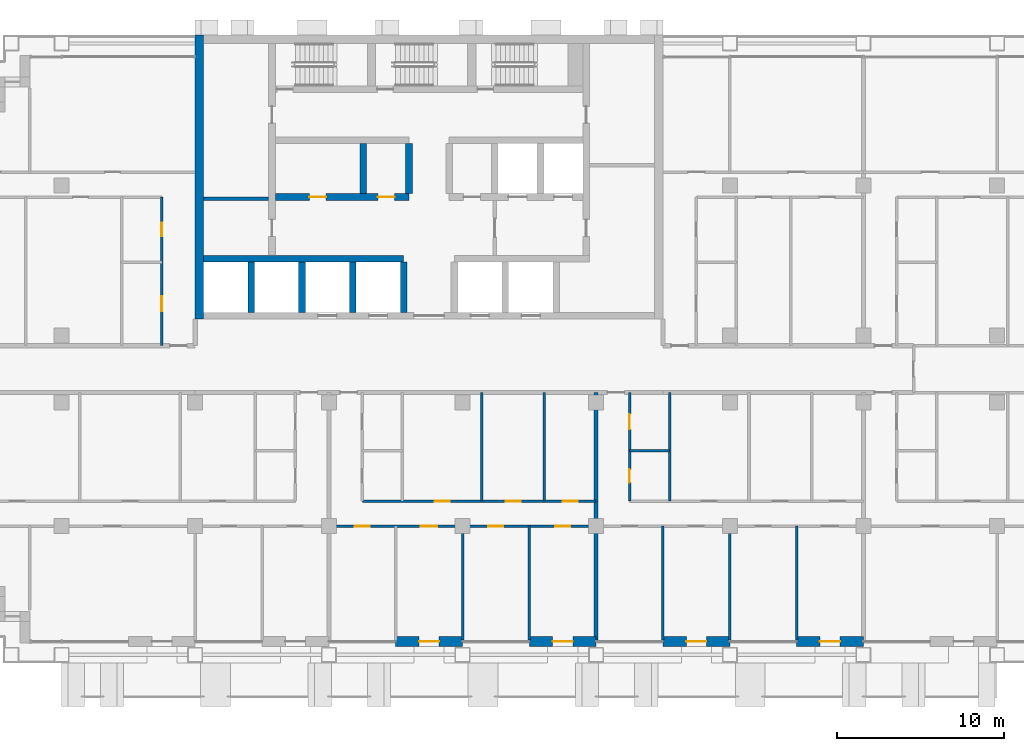
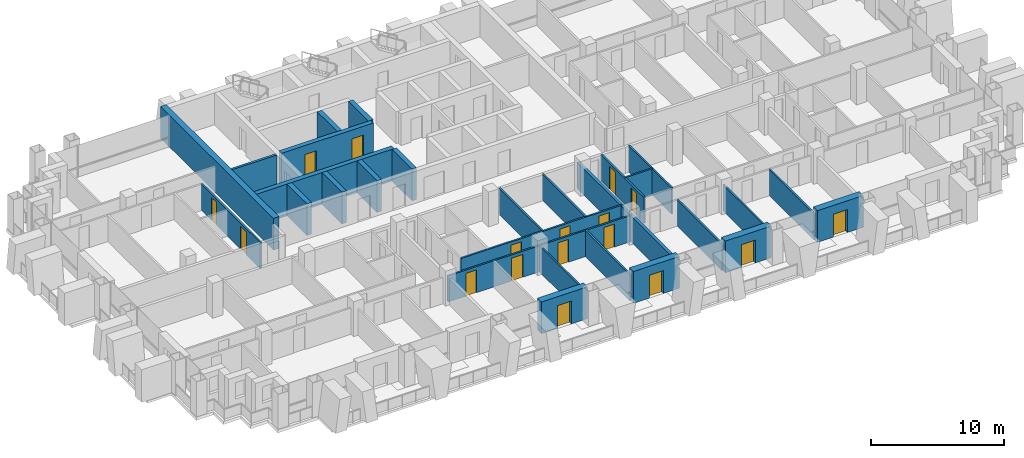
# One storey, part 9 of 17: 28 walls, 17 doors, 17 openings.
"""IFC4 building model written with IfcOpenShell, lengths in metres."""

from ifc_helpers import new_model, si_unit, direction, frame, frame_2d, origin, place, context, subcontext, project, spatial, rectangle, extrude, material, layer, layer_set, type_object, element, fill, save


model = new_model("IFC4")

# Units and contexts
model_context = context("Model", 3, precision=1e-05, world=origin(), true_north=direction((0.0, 1.0)))
body_context = subcontext(model_context, "Body", "Model", "MODEL_VIEW")
ifc_project = project(units=[si_unit("LENGTHUNIT", "METRE"), si_unit("AREAUNIT", "SQUARE_METRE"), si_unit("VOLUMEUNIT", "CUBIC_METRE"), si_unit("PLANEANGLEUNIT", "RADIAN"), si_unit("MASSUNIT", "GRAM", prefix="KILO")], contexts=[model_context])

# Site, building, storey
site_placement = place(None, origin())
site = spatial("IfcSite", under=ifc_project, at=site_placement, CompositionType="ELEMENT")
building_placement = place(site_placement, origin())
building = spatial("IfcBuilding", under=site, at=building_placement, Name="Vidyagriha Tower", CompositionType="ELEMENT")
storey_placement = place(building_placement, frame((0.0, 0.0, 77.5)))
storey = spatial("IfcBuildingStorey", under=building, at=storey_placement, Name="L19", CompositionType="ELEMENT", Elevation=77.5)

# Wall, opening, door
ifc_material_1 = material(Name="Precast concrete C40/50 with brick facing", Category="concrete")
ifc_layer_1 = layer(ifc_material_1, 0.60009765625)
ifc_layer_set_1 = layer_set([ifc_layer_1], Name="Precast concrete C40/50 with brick facing")
wall_type_1 = type_object("IfcWallType", Name="Brick-faced precast wall 600", PredefinedType="STANDARD", material=ifc_layer_set_1)
wall_1_placement = place(storey_placement, frame((-2.0, -16.300048828125, 0.0)))
wall_1 = element("IfcWall", 1, at=wall_1_placement, inside=storey, type_object=wall_type_1, Name="Brick door bay wall L19 R23.7", PredefinedType="STANDARD", context=body_context, shape_type="SweptSolid", body=[
    extrude(rectangle(XDim=4.0, YDim=0.60009765625, at=frame_2d((2.0, 0.0))), origin(), (0.0, 0.0, 1.0), 2.919921875),
])
opening_1_placement = place(wall_1_placement, frame((1.39990234375, 0.0, 0.0)))
opening_1 = element("IfcOpeningElement", 2, at=opening_1_placement, cuts=wall_1, Name="Opening D19-76", PredefinedType="OPENING", context=body_context, shape_type="SweptSolid", body=[
    extrude(rectangle(XDim=1.199951171875, YDim=2.10009765625, at=frame_2d((0.60009765625, 1.050048828125))), frame((0.0, 0.31005859375, 0.0), z_axis=(0.0, -1.0, 0.0), x_axis=(1.0, 0.0, 0.0)), (0.0, 0.0, 1.0), 0.6201171875),
])
ifc_material_2 = material(Name="Aluminium framed glazed sliding door", Category="aluminium")
door_type_1 = type_object("IfcDoorType", Name="Balcony sliding door 1200x2100", OperationType="NOTDEFINED", PredefinedType="DOOR", material=ifc_material_2)
door_1_placement = place(opening_1_placement, origin())
door_1 = element("IfcDoor", 3, at=door_1_placement, inside=storey, type_object=door_type_1, Name="Door D19-76", OperationType="SLIDING_TO_LEFT", OverallHeight=2.10009765625, OverallWidth=1.199951171875, PredefinedType="DOOR", context=body_context, shape_type="SweptSolid", body=[
    extrude(rectangle(XDim=1.199951171875, YDim=2.10009765625, at=frame_2d((0.60009765625, 1.050048828125))), frame((0.0, 0.02490234375, 0.0), z_axis=(0.0, -1.0, 0.0), x_axis=(1.0, 0.0, 0.0)), (0.0, 0.0, 1.0), 0.050048828125),
])
fill(opening_1, door_1)

wall_2_placement = place(storey_placement, frame((6.0, -16.300048828125, 0.0)))
wall_2 = element("IfcWall", 4, at=wall_2_placement, inside=storey, type_object=wall_type_1, Name="Brick door bay wall L19 R23.9", PredefinedType="STANDARD", context=body_context, shape_type="SweptSolid", body=[
    extrude(rectangle(XDim=4.0, YDim=0.60009765625, at=frame_2d((2.0, 0.0))), origin(), (0.0, 0.0, 1.0), 2.919921875),
])
opening_2_placement = place(wall_2_placement, frame((1.39990234375, 0.0, 0.0)))
opening_2 = element("IfcOpeningElement", 5, at=opening_2_placement, cuts=wall_2, Name="Opening D19-77", PredefinedType="OPENING", context=body_context, shape_type="SweptSolid", body=[
    extrude(rectangle(XDim=1.199951171875, YDim=2.10009765625, at=frame_2d((0.60009765625, 1.050048828125))), frame((0.0, 0.31005859375, 0.0), z_axis=(0.0, -1.0, 0.0), x_axis=(1.0, 0.0, 0.0)), (0.0, 0.0, 1.0), 0.6201171875),
])
door_2_placement = place(opening_2_placement, origin())
door_2 = element("IfcDoor", 6, at=door_2_placement, inside=storey, type_object=door_type_1, Name="Door D19-77", OperationType="SLIDING_TO_LEFT", OverallHeight=2.10009765625, OverallWidth=1.199951171875, PredefinedType="DOOR", context=body_context, shape_type="SweptSolid", body=[
    extrude(rectangle(XDim=1.199951171875, YDim=2.10009765625, at=frame_2d((0.60009765625, 1.050048828125))), frame((0.0, 0.02490234375, 0.0), z_axis=(0.0, -1.0, 0.0), x_axis=(1.0, 0.0, 0.0)), (0.0, 0.0, 1.0), 0.050048828125),
])
fill(opening_2, door_2)

wall_3_placement = place(storey_placement, frame((14.0, -16.300048828125, 0.0)))
wall_3 = element("IfcWall", 7, at=wall_3_placement, inside=storey, type_object=wall_type_1, Name="Brick door bay wall L19 R23.11", PredefinedType="STANDARD", context=body_context, shape_type="SweptSolid", body=[
    extrude(rectangle(XDim=4.0, YDim=0.60009765625, at=frame_2d((2.0, 0.0))), origin(), (0.0, 0.0, 1.0), 2.919921875),
])
opening_3_placement = place(wall_3_placement, frame((1.39990234375, 0.0, 0.0)))
opening_3 = element("IfcOpeningElement", 8, at=opening_3_placement, cuts=wall_3, Name="Opening D19-78", PredefinedType="OPENING", context=body_context, shape_type="SweptSolid", body=[
    extrude(rectangle(XDim=1.199951171875, YDim=2.10009765625, at=frame_2d((0.60009765625, 1.050048828125))), frame((0.0, 0.31005859375, 0.0), z_axis=(0.0, -1.0, 0.0), x_axis=(1.0, 0.0, 0.0)), (0.0, 0.0, 1.0), 0.6201171875),
])
door_3_placement = place(opening_3_placement, origin())
door_3 = element("IfcDoor", 9, at=door_3_placement, inside=storey, type_object=door_type_1, Name="Door D19-78", OperationType="SLIDING_TO_LEFT", OverallHeight=2.10009765625, OverallWidth=1.199951171875, PredefinedType="DOOR", context=body_context, shape_type="SweptSolid", body=[
    extrude(rectangle(XDim=1.199951171875, YDim=2.10009765625, at=frame_2d((0.60009765625, 1.050048828125))), frame((0.0, 0.02490234375, 0.0), z_axis=(0.0, -1.0, 0.0), x_axis=(1.0, 0.0, 0.0)), (0.0, 0.0, 1.0), 0.050048828125),
])
fill(opening_3, door_3)

wall_4_placement = place(storey_placement, frame((22.0, -16.300048828125, 0.0)))
wall_4 = element("IfcWall", 10, at=wall_4_placement, inside=storey, type_object=wall_type_1, Name="Brick door bay wall L19 R23.13", PredefinedType="STANDARD", context=body_context, shape_type="SweptSolid", body=[
    extrude(rectangle(XDim=4.0, YDim=0.60009765625, at=frame_2d((2.0, 0.0))), origin(), (0.0, 0.0, 1.0), 2.919921875),
])
opening_4_placement = place(wall_4_placement, frame((1.39990234375, 0.0, 0.0)))
opening_4 = element("IfcOpeningElement", 11, at=opening_4_placement, cuts=wall_4, Name="Opening D19-79", PredefinedType="OPENING", context=body_context, shape_type="SweptSolid", body=[
    extrude(rectangle(XDim=1.199951171875, YDim=2.10009765625, at=frame_2d((0.60009765625, 1.050048828125))), frame((0.0, 0.31005859375, 0.0), z_axis=(0.0, -1.0, 0.0), x_axis=(1.0, 0.0, 0.0)), (0.0, 0.0, 1.0), 0.6201171875),
])
door_4_placement = place(opening_4_placement, origin())
door_4 = element("IfcDoor", 12, at=door_4_placement, inside=storey, type_object=door_type_1, Name="Door D19-79", OperationType="SLIDING_TO_LEFT", OverallHeight=2.10009765625, OverallWidth=1.199951171875, PredefinedType="DOOR", context=body_context, shape_type="SweptSolid", body=[
    extrude(rectangle(XDim=1.199951171875, YDim=2.10009765625, at=frame_2d((0.60009765625, 1.050048828125))), frame((0.0, 0.02490234375, 0.0), z_axis=(0.0, -1.0, 0.0), x_axis=(1.0, 0.0, 0.0)), (0.0, 0.0, 1.0), 0.050048828125),
])
fill(opening_4, door_4)

# Walls
ifc_material_3 = material(Name="Concrete C60/75", Category="concrete")
ifc_layer_2 = layer(ifc_material_3, 0.39990234375)
ifc_layer_set_2 = layer_set([ifc_layer_2], Name="Concrete C60/75")
wall_type_2 = type_object("IfcWallType", Name="Core shear wall 400 mm", PredefinedType="SHEAR", material=ifc_layer_set_2)
wall_5_placement = place(storey_placement, frame((-13.5, 6.60009765625, 0.0)))
element("IfcWall", 13, at=wall_5_placement, inside=storey, type_object=wall_type_2, Name="Core lobby south wall west", PredefinedType="SHEAR", context=body_context, shape_type="SweptSolid", body=[
    extrude(rectangle(XDim=11.977783203125, YDim=0.39990234375, at=frame_2d((5.98876953125, 0.0))), origin(), (0.0, 0.0, 1.0), 2.919921875),
])
for number, where, z_axis, x_axis, name in (
    (14, (-10.655517578125, 3.39990234375, 0.0), (0.0, 0.0, 1.0), (0.0, 1.0, 0.0), "Core bay wall S1"),
    (15, (-7.611083984375, 3.39990234375, 0.0), (0.0, 0.0, 1.0), (0.0, 1.0, 0.0), "Core bay wall S2"),
    (16, (-4.566650390625, 3.39990234375, 0.0), (0.0, 0.0, 1.0), (0.0, 1.0, 0.0), "Core bay wall S3"),
    (17, (-1.522216796875, 3.39990234375, 0.0), (0.0, 0.0, 1.0), (0.0, 1.0, 0.0), "Core bay wall S4"),
):
    element("IfcWall", number, at=place(storey_placement, frame(where, z_axis=z_axis, x_axis=x_axis)), inside=storey, type_object=wall_type_2, Name=name, PredefinedType="SHEAR", context=body_context, shape_type="SweptSolid", body=[
        extrude(rectangle(XDim=3.0, YDim=0.39990234375, at=frame_2d((1.5, 0.0))), origin(), (0.0, 0.0, 1.0), 2.919921875),
    ])

# Wall, openings, doors
wall_6_placement = place(storey_placement, frame((-9.199951171875, 10.300048828125, 0.0)))
wall_6 = element("IfcWall", 18, at=wall_6_placement, inside=storey, type_object=wall_type_2, Name="Core row N front wall", PredefinedType="SHEAR", context=body_context, shape_type="SweptSolid", body=[
    extrude(rectangle(XDim=8.0, YDim=0.39990234375, at=frame_2d((4.0, 0.0))), origin(), (0.0, 0.0, 1.0), 2.919921875),
])
opening_5_placement = place(wall_6_placement, frame((2.033203125, 0.0, 0.0)))
opening_5 = element("IfcOpeningElement", 19, at=opening_5_placement, cuts=wall_6, Name="Opening D19-02", PredefinedType="OPENING", context=body_context, shape_type="SweptSolid", body=[
    extrude(rectangle(XDim=1.0, YDim=2.10009765625, at=frame_2d((0.5, 1.050048828125))), frame((0.0, 0.2099609375, 0.0), z_axis=(0.0, -1.0, 0.0), x_axis=(1.0, 0.0, 0.0)), (0.0, 0.0, 1.0), 0.419921875),
])
opening_6_placement = place(wall_6_placement, frame((6.13330078125, 0.0, 0.0)))
opening_6 = element("IfcOpeningElement", 20, at=opening_6_placement, cuts=wall_6, Name="Opening D19-03", PredefinedType="OPENING", context=body_context, shape_type="SweptSolid", body=[
    extrude(rectangle(XDim=1.0, YDim=2.10009765625, at=frame_2d((0.5, 1.050048828125))), frame((0.0, 0.2099609375, 0.0), z_axis=(0.0, -1.0, 0.0), x_axis=(1.0, 0.0, 0.0)), (0.0, 0.0, 1.0), 0.419921875),
])
ifc_material_4 = material(Name="Hollow metal door leaf")
door_type_2 = type_object("IfcDoorType", Name="Core room door 1000 x 2100 mm EI 60", OperationType="NOTDEFINED", PredefinedType="DOOR", material=ifc_material_4)
door_5_placement = place(opening_5_placement, frame((1.0, 0.0, 0.0), z_axis=(0.0, 0.0, 1.0), x_axis=(-1.0, 0.0, 0.0)))
door_5 = element("IfcDoor", 21, at=door_5_placement, inside=storey, type_object=door_type_2, Name="Door Electrical Room 19.14", OperationType="SINGLE_SWING_RIGHT", OverallHeight=2.10009765625, OverallWidth=1.0, PredefinedType="DOOR", context=body_context, shape_type="SweptSolid", body=[
    extrude(rectangle(XDim=1.0, YDim=2.10009765625, at=frame_2d((0.5, 1.050048828125))), frame((0.0, 0.02490234375, 0.0), z_axis=(0.0, -1.0, 0.0), x_axis=(1.0, 0.0, 0.0)), (0.0, 0.0, 1.0), 0.050048828125),
])
fill(opening_5, door_5)
door_6_placement = place(opening_6_placement, frame((1.0, 0.0, 0.0), z_axis=(0.0, 0.0, 1.0), x_axis=(-1.0, 0.0, 0.0)))
door_6 = element("IfcDoor", 22, at=door_6_placement, inside=storey, type_object=door_type_2, Name="Door Cleaners Store 19.15", OperationType="SINGLE_SWING_LEFT", OverallHeight=2.10009765625, OverallWidth=1.0, PredefinedType="DOOR", context=body_context, shape_type="SweptSolid", body=[
    extrude(rectangle(XDim=1.0, YDim=2.10009765625, at=frame_2d((0.5, 1.050048828125))), frame((0.0, 0.02490234375, 0.0), z_axis=(0.0, -1.0, 0.0), x_axis=(1.0, 0.0, 0.0)), (0.0, 0.0, 1.0), 0.050048828125),
])
fill(opening_6, door_6)

# Walls
for number, where, z_axis, x_axis, name in (
    (23, (-3.933349609375, 10.5, 0.0), (0.0, 0.0, 1.0), (0.0, 1.0, 0.0), "Core bay wall N2"),
    (24, (-1.199951171875, 10.5, 0.0), (0.0, 0.0, 1.0), (0.0, 1.0, 0.0), "Core bay wall N3"),
):
    element("IfcWall", number, at=place(storey_placement, frame(where, z_axis=z_axis, x_axis=x_axis)), inside=storey, type_object=wall_type_2, Name=name, PredefinedType="SHEAR", context=body_context, shape_type="SweptSolid", body=[
        extrude(rectangle(XDim=3.0, YDim=0.39990234375, at=frame_2d((1.5, 0.0))), origin(), (0.0, 0.0, 1.0), 2.919921875),
    ])
ifc_material_5 = material(Name="Concrete C60/75", Category="concrete")
ifc_layer_3 = layer(ifc_material_5, 0.5)
ifc_layer_set_3 = layer_set([ifc_layer_3], Name="Concrete C60/75")
wall_type_3 = type_object("IfcWallType", Name="Core shear wall 500 mm", PredefinedType="SHEAR", material=ifc_layer_set_3)
wall_7_placement = place(storey_placement, frame((-13.75, 3.0, 0.0), z_axis=(0.0, 0.0, 1.0), x_axis=(0.0, 1.0, 0.0)))
element("IfcWall", 25, at=wall_7_placement, inside=storey, type_object=wall_type_3, Name="Core west wall", PredefinedType="SHEAR", context=body_context, shape_type="SweptSolid", body=[
    extrude(rectangle(XDim=17.0, YDim=0.5, at=frame_2d((8.5, 0.0))), origin(), (0.0, 0.0, 1.0), 2.919921875),
])
ifc_material_6 = material(Name="Fired clay brick masonry", Category="masonry")
ifc_layer_4 = layer(ifc_material_6, 0.25)
ifc_layer_set_4 = layer_set([ifc_layer_4], Name="Fired clay brick masonry")
wall_type_4 = type_object("IfcWallType", Name="Fired clay brick demising wall 250", PredefinedType="PARTITIONING", material=ifc_layer_set_4)
wall_8_placement = place(storey_placement, frame((10.0, -1.39990234375, 0.0), z_axis=(0.0, 0.0, 1.0), x_axis=(0.0, -1.0, 0.0)))
element("IfcWall", 26, at=wall_8_placement, inside=storey, type_object=wall_type_4, Name="Wall all-L19-w062", PredefinedType="PARTITIONING", context=body_context, shape_type="SweptSolid", body=[
    extrude(rectangle(XDim=14.81005859375, YDim=0.25, at=frame_2d((7.405029296875, 0.0))), origin(), (0.0, 0.0, 1.0), 2.39990234375),
])
ifc_material_7 = material(Name="Gypsum board partition")
ifc_layer_5 = layer(ifc_material_7, 0.14990234375)
ifc_layer_set_5 = layer_set([ifc_layer_5], Name="Gypsum board partition")
wall_type_5 = type_object("IfcWallType", Name="Gypsum board partition 150", PredefinedType="PARTITIONING", material=ifc_layer_set_5)
for number, where, z_axis, x_axis, name in (
    (27, (3.14990234375, -1.39990234375, 0.0), (0.0, 0.0, 1.0), (0.0, -1.0, 0.0), "Wall all-L19-w026"),
    (28, (6.89990234375, -1.39990234375, 0.0), (0.0, 0.0, 1.0), (0.0, -1.0, 0.0), "Wall all-L19-w027"),
):
    element("IfcWall", number, at=place(storey_placement, frame(where, z_axis=z_axis, x_axis=x_axis)), inside=storey, type_object=wall_type_5, Name=name, PredefinedType="PARTITIONING", context=body_context, shape_type="SweptSolid", body=[
        extrude(rectangle(XDim=6.5, YDim=0.14990234375, at=frame_2d((3.25, 0.0))), origin(), (0.0, 0.0, 1.0), 2.39990234375),
    ])

# Wall, openings, doors
wall_9_placement = place(storey_placement, frame((-4.0, -7.89990234375, 0.0)))
wall_9 = element("IfcWall", 29, at=wall_9_placement, inside=storey, type_object=wall_type_5, Name="Wall all-L19-w028", PredefinedType="PARTITIONING", context=body_context, shape_type="SweptSolid", body=[
    extrude(rectangle(XDim=14.0, YDim=0.14990234375, at=frame_2d((7.0, 0.0))), origin(), (0.0, 0.0, 1.0), 2.39990234375),
])
opening_7_placement = place(wall_9_placement, frame((4.324951171875, 0.0, 0.0)))
opening_7 = element("IfcOpeningElement", 30, at=opening_7_placement, cuts=wall_9, Name="Opening D19-25", PredefinedType="OPENING", context=body_context, shape_type="SweptSolid", body=[
    extrude(rectangle(XDim=0.89990234375, YDim=2.10009765625, at=frame_2d((0.449951171875, 1.050048828125))), frame((0.0, 0.0849609375, 0.0), z_axis=(0.0, -1.0, 0.0), x_axis=(1.0, 0.0, 0.0)), (0.0, 0.0, 1.0), 0.169921875),
])
opening_8_placement = place(wall_9_placement, frame((8.574951171875, 0.0, 0.0)))
opening_8 = element("IfcOpeningElement", 31, at=opening_8_placement, cuts=wall_9, Name="Opening D19-26", PredefinedType="OPENING", context=body_context, shape_type="SweptSolid", body=[
    extrude(rectangle(XDim=0.89990234375, YDim=2.10009765625, at=frame_2d((0.449951171875, 1.050048828125))), frame((0.0, 0.0849609375, 0.0), z_axis=(0.0, -1.0, 0.0), x_axis=(1.0, 0.0, 0.0)), (0.0, 0.0, 1.0), 0.169921875),
])
opening_9_placement = place(wall_9_placement, frame((12.0, 0.0, 0.0)))
opening_9 = element("IfcOpeningElement", 32, at=opening_9_placement, cuts=wall_9, Name="Opening D19-27", PredefinedType="OPENING", context=body_context, shape_type="SweptSolid", body=[
    extrude(rectangle(XDim=0.89990234375, YDim=2.10009765625, at=frame_2d((0.449951171875, 1.050048828125))), frame((0.0, 0.0849609375, 0.0), z_axis=(0.0, -1.0, 0.0), x_axis=(1.0, 0.0, 0.0)), (0.0, 0.0, 1.0), 0.169921875),
])
ifc_material_8 = material(Name="Timber door leaf", Category="wood")
door_type_3 = type_object("IfcDoorType", Name="Room door 900x2100", OperationType="NOTDEFINED", PredefinedType="DOOR", material=ifc_material_8)
door_7_placement = place(opening_7_placement, origin())
door_7 = element("IfcDoor", 33, at=door_7_placement, inside=storey, type_object=door_type_3, Name="Door D19-25", OperationType="SINGLE_SWING_RIGHT", OverallHeight=2.10009765625, OverallWidth=0.89990234375, PredefinedType="DOOR", context=body_context, shape_type="SweptSolid", body=[
    extrude(rectangle(XDim=0.89990234375, YDim=2.10009765625, at=frame_2d((0.449951171875, 1.050048828125))), frame((0.0, 0.02490234375, 0.0), z_axis=(0.0, -1.0, 0.0), x_axis=(1.0, 0.0, 0.0)), (0.0, 0.0, 1.0), 0.050048828125),
])
fill(opening_7, door_7)
door_8_placement = place(opening_8_placement, origin())
door_8 = element("IfcDoor", 34, at=door_8_placement, inside=storey, type_object=door_type_3, Name="Door D19-26", OperationType="SINGLE_SWING_RIGHT", OverallHeight=2.10009765625, OverallWidth=0.89990234375, PredefinedType="DOOR", context=body_context, shape_type="SweptSolid", body=[
    extrude(rectangle(XDim=0.89990234375, YDim=2.10009765625, at=frame_2d((0.449951171875, 1.050048828125))), frame((0.0, 0.02490234375, 0.0), z_axis=(0.0, -1.0, 0.0), x_axis=(1.0, 0.0, 0.0)), (0.0, 0.0, 1.0), 0.050048828125),
])
fill(opening_8, door_8)
door_9_placement = place(opening_9_placement, origin())
door_9 = element("IfcDoor", 35, at=door_9_placement, inside=storey, type_object=door_type_3, Name="Door D19-27", OperationType="SINGLE_SWING_LEFT", OverallHeight=2.10009765625, OverallWidth=0.89990234375, PredefinedType="DOOR", context=body_context, shape_type="SweptSolid", body=[
    extrude(rectangle(XDim=0.89990234375, YDim=2.10009765625, at=frame_2d((0.449951171875, 1.050048828125))), frame((0.0, 0.02490234375, 0.0), z_axis=(0.0, -1.0, 0.0), x_axis=(1.0, 0.0, 0.0)), (0.0, 0.0, 1.0), 0.050048828125),
])
fill(opening_9, door_9)

wall_10_placement = place(storey_placement, frame((10.0, -9.39990234375, 0.0), z_axis=(0.0, 0.0, 1.0), x_axis=(-1.0, 0.0, 0.0)))
wall_10 = element("IfcWall", 36, at=wall_10_placement, inside=storey, type_object=wall_type_5, Name="Wall all-L19-w032", PredefinedType="PARTITIONING", context=body_context, shape_type="SweptSolid", body=[
    extrude(rectangle(XDim=16.0, YDim=0.14990234375, at=frame_2d((8.0, 0.0))), origin(), (0.0, 0.0, 1.0), 2.39990234375),
])
opening_10_placement = place(wall_10_placement, frame((13.550048828125, 0.0, 0.0)))
opening_10 = element("IfcOpeningElement", 37, at=opening_10_placement, cuts=wall_10, Name="Opening D19-28", PredefinedType="OPENING", context=body_context, shape_type="SweptSolid", body=[
    extrude(rectangle(XDim=0.89990234375, YDim=2.10009765625, at=frame_2d((0.449951171875, 1.050048828125))), frame((0.0, 0.0849609375, 0.0), z_axis=(0.0, -1.0, 0.0), x_axis=(1.0, 0.0, 0.0)), (0.0, 0.0, 1.0), 0.169921875),
])
opening_11_placement = place(wall_10_placement, frame((9.5, 0.0, 0.0)))
opening_11 = element("IfcOpeningElement", 38, at=opening_11_placement, cuts=wall_10, Name="Opening D19-29", PredefinedType="OPENING", context=body_context, shape_type="SweptSolid", body=[
    extrude(rectangle(XDim=1.0, YDim=2.10009765625, at=frame_2d((0.5, 1.050048828125))), frame((0.0, 0.0849609375, 0.0), z_axis=(0.0, -1.0, 0.0), x_axis=(1.0, 0.0, 0.0)), (0.0, 0.0, 1.0), 0.169921875),
])
opening_12_placement = place(wall_10_placement, frame((5.550048828125, 0.0, 0.0)))
opening_12 = element("IfcOpeningElement", 39, at=opening_12_placement, cuts=wall_10, Name="Opening D19-30", PredefinedType="OPENING", context=body_context, shape_type="SweptSolid", body=[
    extrude(rectangle(XDim=0.89990234375, YDim=2.10009765625, at=frame_2d((0.449951171875, 1.050048828125))), frame((0.0, 0.0849609375, 0.0), z_axis=(0.0, -1.0, 0.0), x_axis=(1.0, 0.0, 0.0)), (0.0, 0.0, 1.0), 0.169921875),
])
opening_13_placement = place(wall_10_placement, frame((1.550048828125, 0.0, 0.0)))
opening_13 = element("IfcOpeningElement", 40, at=opening_13_placement, cuts=wall_10, Name="Opening D19-31", PredefinedType="OPENING", context=body_context, shape_type="SweptSolid", body=[
    extrude(rectangle(XDim=0.89990234375, YDim=2.10009765625, at=frame_2d((0.449951171875, 1.050048828125))), frame((0.0, 0.0849609375, 0.0), z_axis=(0.0, -1.0, 0.0), x_axis=(1.0, 0.0, 0.0)), (0.0, 0.0, 1.0), 0.169921875),
])
ifc_material_9 = material(Name="Timber door leaf", Category="wood")
door_type_4 = type_object("IfcDoorType", Name="Room door 1000x2100", OperationType="NOTDEFINED", PredefinedType="DOOR", material=ifc_material_9)
door_10_placement = place(opening_11_placement, origin())
door_10 = element("IfcDoor", 41, at=door_10_placement, inside=storey, type_object=door_type_4, Name="Door D19-29", OperationType="SINGLE_SWING_RIGHT", OverallHeight=2.10009765625, OverallWidth=1.0, PredefinedType="DOOR", context=body_context, shape_type="SweptSolid", body=[
    extrude(rectangle(XDim=1.0, YDim=2.10009765625, at=frame_2d((0.5, 1.050048828125))), frame((0.0, 0.02490234375, 0.0), z_axis=(0.0, -1.0, 0.0), x_axis=(1.0, 0.0, 0.0)), (0.0, 0.0, 1.0), 0.050048828125),
])
fill(opening_11, door_10)
door_11_placement = place(opening_10_placement, origin())
door_11 = element("IfcDoor", 42, at=door_11_placement, inside=storey, type_object=door_type_3, Name="Door D19-28", OperationType="SINGLE_SWING_RIGHT", OverallHeight=2.10009765625, OverallWidth=0.89990234375, PredefinedType="DOOR", context=body_context, shape_type="SweptSolid", body=[
    extrude(rectangle(XDim=0.89990234375, YDim=2.10009765625, at=frame_2d((0.449951171875, 1.050048828125))), frame((0.0, 0.02490234375, 0.0), z_axis=(0.0, -1.0, 0.0), x_axis=(1.0, 0.0, 0.0)), (0.0, 0.0, 1.0), 0.050048828125),
])
fill(opening_10, door_11)
door_12_placement = place(opening_12_placement, origin())
door_12 = element("IfcDoor", 43, at=door_12_placement, inside=storey, type_object=door_type_3, Name="Door D19-30", OperationType="SINGLE_SWING_RIGHT", OverallHeight=2.10009765625, OverallWidth=0.89990234375, PredefinedType="DOOR", context=body_context, shape_type="SweptSolid", body=[
    extrude(rectangle(XDim=0.89990234375, YDim=2.10009765625, at=frame_2d((0.449951171875, 1.050048828125))), frame((0.0, 0.02490234375, 0.0), z_axis=(0.0, -1.0, 0.0), x_axis=(1.0, 0.0, 0.0)), (0.0, 0.0, 1.0), 0.050048828125),
])
fill(opening_12, door_12)
door_13_placement = place(opening_13_placement, origin())
door_13 = element("IfcDoor", 44, at=door_13_placement, inside=storey, type_object=door_type_3, Name="Door D19-31", OperationType="SINGLE_SWING_RIGHT", OverallHeight=2.10009765625, OverallWidth=0.89990234375, PredefinedType="DOOR", context=body_context, shape_type="SweptSolid", body=[
    extrude(rectangle(XDim=0.89990234375, YDim=2.10009765625, at=frame_2d((0.449951171875, 1.050048828125))), frame((0.0, 0.02490234375, 0.0), z_axis=(0.0, -1.0, 0.0), x_axis=(1.0, 0.0, 0.0)), (0.0, 0.0, 1.0), 0.050048828125),
])
fill(opening_13, door_13)

# Walls
wall_11_placement = place(storey_placement, frame((2.0, -9.39990234375, 0.0), z_axis=(0.0, 0.0, 1.0), x_axis=(0.0, -1.0, 0.0)))
element("IfcWall", 45, at=wall_11_placement, inside=storey, type_object=wall_type_5, Name="Wall all-L19-w038", PredefinedType="PARTITIONING", context=body_context, shape_type="SweptSolid", body=[
    extrude(rectangle(XDim=6.81005859375, YDim=0.14990234375, at=frame_2d((3.405029296875, 0.0))), origin(), (0.0, 0.0, 1.0), 2.39990234375),
])
wall_12_placement = place(storey_placement, frame((6.0, -9.39990234375, 0.0), z_axis=(0.0, 0.0, 1.0), x_axis=(0.0, -1.0, 0.0)))
element("IfcWall", 46, at=wall_12_placement, inside=storey, type_object=wall_type_5, Name="Wall all-L19-w039", PredefinedType="PARTITIONING", context=body_context, shape_type="SweptSolid", body=[
    extrude(rectangle(XDim=6.821044921875, YDim=0.14990234375, at=frame_2d((3.41064453125, 0.0))), origin(), (0.0, 0.0, 1.0), 2.39990234375),
])
wall_13_placement = place(storey_placement, frame((14.39990234375, -4.89990234375, 0.0), z_axis=(0.0, 0.0, 1.0), x_axis=(-1.0, 0.0, 0.0)))
element("IfcWall", 47, at=wall_13_placement, inside=storey, type_object=wall_type_5, Name="Wall all-L19-w045", PredefinedType="PARTITIONING", context=body_context, shape_type="SweptSolid", body=[
    extrude(rectangle(XDim=2.39990234375, YDim=0.14990234375, at=frame_2d((1.199951171875, 0.0))), origin(), (0.0, 0.0, 1.0), 2.39990234375),
])
wall_14_placement = place(storey_placement, frame((14.39990234375, -1.39990234375, 0.0), z_axis=(0.0, 0.0, 1.0), x_axis=(0.0, -1.0, 0.0)))
element("IfcWall", 48, at=wall_14_placement, inside=storey, type_object=wall_type_5, Name="Wall all-L19-w046", PredefinedType="PARTITIONING", context=body_context, shape_type="SweptSolid", body=[
    extrude(rectangle(XDim=6.5, YDim=0.14990234375, at=frame_2d((3.25, 0.0))), origin(), (0.0, 0.0, 1.0), 2.39990234375),
])
wall_15_placement = place(storey_placement, frame((14.0, -9.39990234375, 0.0), z_axis=(0.0, 0.0, 1.0), x_axis=(0.0, -1.0, 0.0)))
element("IfcWall", 49, at=wall_15_placement, inside=storey, type_object=wall_type_5, Name="Wall all-L19-w058", PredefinedType="PARTITIONING", context=body_context, shape_type="SweptSolid", body=[
    extrude(rectangle(XDim=6.821044921875, YDim=0.14990234375, at=frame_2d((3.41064453125, 0.0))), origin(), (0.0, 0.0, 1.0), 2.39990234375),
])
wall_16_placement = place(storey_placement, frame((18.0, -9.39990234375, 0.0), z_axis=(0.0, 0.0, 1.0), x_axis=(0.0, -1.0, 0.0)))
element("IfcWall", 50, at=wall_16_placement, inside=storey, type_object=wall_type_5, Name="Wall all-L19-w059", PredefinedType="PARTITIONING", context=body_context, shape_type="SweptSolid", body=[
    extrude(rectangle(XDim=6.81005859375, YDim=0.14990234375, at=frame_2d((3.405029296875, 0.0))), origin(), (0.0, 0.0, 1.0), 2.39990234375),
])
wall_17_placement = place(storey_placement, frame((22.0, -9.39990234375, 0.0), z_axis=(0.0, 0.0, 1.0), x_axis=(0.0, -1.0, 0.0)))
element("IfcWall", 51, at=wall_17_placement, inside=storey, type_object=wall_type_5, Name="Wall all-L19-w060", PredefinedType="PARTITIONING", context=body_context, shape_type="SweptSolid", body=[
    extrude(rectangle(XDim=6.821044921875, YDim=0.14990234375, at=frame_2d((3.41064453125, 0.0))), origin(), (0.0, 0.0, 1.0), 2.39990234375),
])

# Wall, openings, doors
ifc_material_10 = material(Name="Moisture resistant gypsum board partition")
ifc_layer_6 = layer(ifc_material_10, 0.14990234375)
ifc_layer_set_6 = layer_set([ifc_layer_6], Name="Moisture resistant gypsum board partition")
wall_type_6 = type_object("IfcWallType", Name="Gypsum board wet-area partition 150", PredefinedType="PARTITIONING", material=ifc_layer_set_6)
wall_18_placement = place(storey_placement, frame((12.0, -1.39990234375, 0.0), z_axis=(0.0, 0.0, 1.0), x_axis=(0.0, -1.0, 0.0)))
wall_18 = element("IfcWall", 52, at=wall_18_placement, inside=storey, type_object=wall_type_6, Name="Wall all-L19-w042", PredefinedType="PARTITIONING", context=body_context, shape_type="SweptSolid", body=[
    extrude(rectangle(XDim=6.5, YDim=0.14990234375, at=frame_2d((3.25, 0.0))), origin(), (0.0, 0.0, 1.0), 2.39990234375),
])
opening_14_placement = place(wall_18_placement, frame((1.300048828125, 0.0, 0.0)))
opening_14 = element("IfcOpeningElement", 53, at=opening_14_placement, cuts=wall_18, Name="Opening D19-33", PredefinedType="OPENING", context=body_context, shape_type="SweptSolid", body=[
    extrude(rectangle(XDim=0.89990234375, YDim=2.10009765625, at=frame_2d((0.449951171875, 1.050048828125))), frame((0.0, 0.0849609375, 0.0), z_axis=(0.0, -1.0, 0.0), x_axis=(1.0, 0.0, 0.0)), (0.0, 0.0, 1.0), 0.169921875),
])
opening_15_placement = place(wall_18_placement, frame((4.60009765625, 0.0, 0.0)))
opening_15 = element("IfcOpeningElement", 54, at=opening_15_placement, cuts=wall_18, Name="Opening D19-34", PredefinedType="OPENING", context=body_context, shape_type="SweptSolid", body=[
    extrude(rectangle(XDim=0.800048828125, YDim=2.10009765625, at=frame_2d((0.39990234375, 1.050048828125))), frame((0.0, 0.0849609375, 0.0), z_axis=(0.0, -1.0, 0.0), x_axis=(1.0, 0.0, 0.0)), (0.0, 0.0, 1.0), 0.169921875),
])
ifc_material_11 = material(Name="Timber door leaf", Category="wood")
door_type_5 = type_object("IfcDoorType", Name="Bathroom door 800x2100", OperationType="NOTDEFINED", PredefinedType="DOOR", material=ifc_material_11)
door_14_placement = place(opening_15_placement, origin())
door_14 = element("IfcDoor", 55, at=door_14_placement, inside=storey, type_object=door_type_5, Name="Door D19-34", OperationType="SINGLE_SWING_RIGHT", OverallHeight=2.10009765625, OverallWidth=0.800048828125, PredefinedType="DOOR", context=body_context, shape_type="SweptSolid", body=[
    extrude(rectangle(XDim=0.800048828125, YDim=2.10009765625, at=frame_2d((0.39990234375, 1.050048828125))), frame((0.0, 0.02490234375, 0.0), z_axis=(0.0, -1.0, 0.0), x_axis=(1.0, 0.0, 0.0)), (0.0, 0.0, 1.0), 0.050048828125),
])
fill(opening_15, door_14)
ifc_material_12 = material(Name="Timber door leaf", Category="wood")
door_type_6 = type_object("IfcDoorType", Name="Kitchen door 900x2100", OperationType="NOTDEFINED", PredefinedType="DOOR", material=ifc_material_12)
door_15_placement = place(opening_14_placement, origin())
door_15 = element("IfcDoor", 56, at=door_15_placement, inside=storey, type_object=door_type_6, Name="Door D19-33", OperationType="SINGLE_SWING_LEFT", OverallHeight=2.10009765625, OverallWidth=0.89990234375, PredefinedType="DOOR", context=body_context, shape_type="SweptSolid", body=[
    extrude(rectangle(XDim=0.89990234375, YDim=2.10009765625, at=frame_2d((0.449951171875, 1.050048828125))), frame((0.0, 0.02490234375, 0.0), z_axis=(0.0, -1.0, 0.0), x_axis=(1.0, 0.0, 0.0)), (0.0, 0.0, 1.0), 0.050048828125),
])
fill(opening_14, door_15)

wall_19_placement = place(storey_placement, frame((-16.0, 1.39990234375, 0.0), z_axis=(0.0, 0.0, 1.0), x_axis=(0.0, 1.0, 0.0)))
wall_19 = element("IfcWall", 57, at=wall_19_placement, inside=storey, type_object=wall_type_6, Name="Wall all-L19-w081", PredefinedType="PARTITIONING", context=body_context, shape_type="SweptSolid", body=[
    extrude(rectangle(XDim=8.900146484375, YDim=0.14990234375, at=frame_2d((4.4501953125, 0.0))), origin(), (0.0, 0.0, 1.0), 2.39990234375),
])
opening_16_placement = place(wall_19_placement, frame((2.050048828125, 0.0, 0.0)))
opening_16 = element("IfcOpeningElement", 58, at=opening_16_placement, cuts=wall_19, Name="Opening D19-50", PredefinedType="OPENING", context=body_context, shape_type="SweptSolid", body=[
    extrude(rectangle(XDim=0.89990234375, YDim=2.10009765625, at=frame_2d((0.449951171875, 1.050048828125))), frame((0.0, 0.0849609375, 0.0), z_axis=(0.0, -1.0, 0.0), x_axis=(1.0, 0.0, 0.0)), (0.0, 0.0, 1.0), 0.169921875),
])
opening_17_placement = place(wall_19_placement, frame((6.550048828125, 0.0, 0.0)))
opening_17 = element("IfcOpeningElement", 59, at=opening_17_placement, cuts=wall_19, Name="Opening D19-51", PredefinedType="OPENING", context=body_context, shape_type="SweptSolid", body=[
    extrude(rectangle(XDim=0.800048828125, YDim=2.10009765625, at=frame_2d((0.39990234375, 1.050048828125))), frame((0.0, 0.0849609375, 0.0), z_axis=(0.0, -1.0, 0.0), x_axis=(1.0, 0.0, 0.0)), (0.0, 0.0, 1.0), 0.169921875),
])
door_16_placement = place(opening_17_placement, origin())
door_16 = element("IfcDoor", 60, at=door_16_placement, inside=storey, type_object=door_type_5, Name="Door D19-51", OperationType="SINGLE_SWING_LEFT", OverallHeight=2.10009765625, OverallWidth=0.800048828125, PredefinedType="DOOR", context=body_context, shape_type="SweptSolid", body=[
    extrude(rectangle(XDim=0.800048828125, YDim=2.10009765625, at=frame_2d((0.39990234375, 1.050048828125))), frame((0.0, 0.02490234375, 0.0), z_axis=(0.0, -1.0, 0.0), x_axis=(1.0, 0.0, 0.0)), (0.0, 0.0, 1.0), 0.050048828125),
])
fill(opening_17, door_16)
door_17_placement = place(opening_16_placement, origin())
door_17 = element("IfcDoor", 61, at=door_17_placement, inside=storey, type_object=door_type_6, Name="Door D19-50", OperationType="SINGLE_SWING_LEFT", OverallHeight=2.10009765625, OverallWidth=0.89990234375, PredefinedType="DOOR", context=body_context, shape_type="SweptSolid", body=[
    extrude(rectangle(XDim=0.89990234375, YDim=2.10009765625, at=frame_2d((0.449951171875, 1.050048828125))), frame((0.0, 0.02490234375, 0.0), z_axis=(0.0, -1.0, 0.0), x_axis=(1.0, 0.0, 0.0)), (0.0, 0.0, 1.0), 0.050048828125),
])
fill(opening_16, door_17)

# Wall
ifc_material_13 = material(Name="Blockwork 15 MPa", Category="masonry")
ifc_layer_7 = layer(ifc_material_13, 0.199951171875)
ifc_layer_set_7 = layer_set([ifc_layer_7], Name="Blockwork 15 MPa")
wall_type_7 = type_object("IfcWallType", Name="Service room partition 200 mm", PredefinedType="PARTITIONING", material=ifc_layer_set_7)
wall_20_placement = place(storey_placement, frame((-13.5, 10.199951171875, 0.0)))
element("IfcWall", 62, at=wall_20_placement, inside=storey, type_object=wall_type_7, Name="Core room partition W1", PredefinedType="PARTITIONING", context=body_context, shape_type="SweptSolid", body=[
    extrude(rectangle(XDim=3.89990234375, YDim=0.199951171875, at=frame_2d((1.949951171875, 0.0))), origin(), (0.0, 0.0, 1.0), 2.919921875),
])

save(model, "model.ifc")
